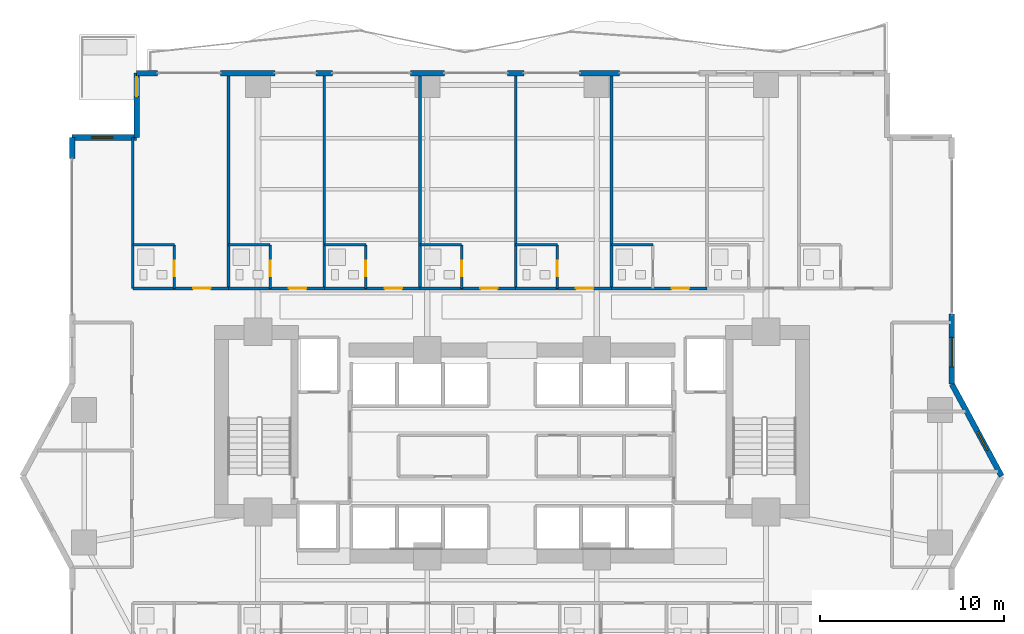
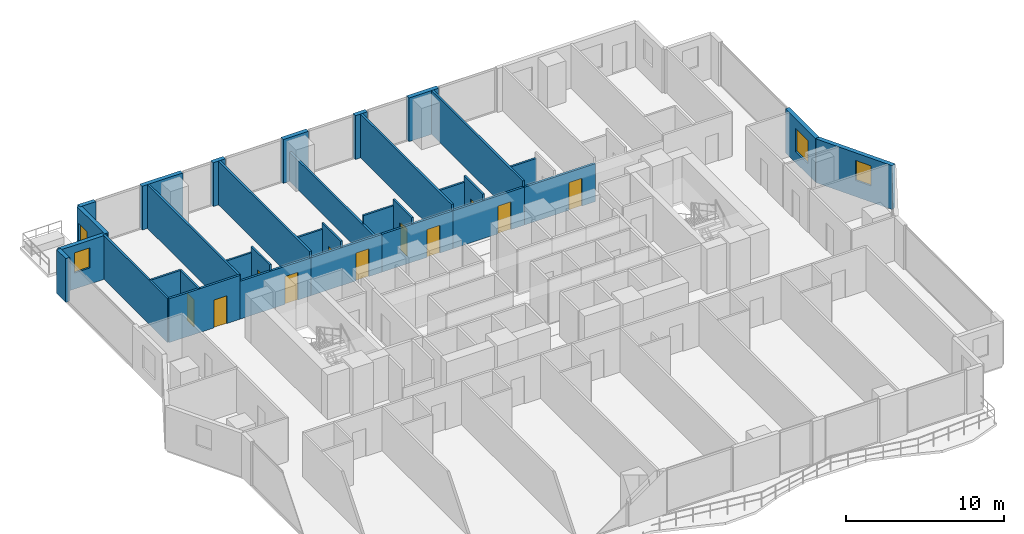
# One storey, part 24 of 29: 34 walls, 12 doors, 3 windows, 15 openings.
"""IFC4 building model written with IfcOpenShell, lengths in metres."""

from ifc_helpers import new_model, si_unit, direction, frame, frame_2d, origin, place, context, subcontext, project, spatial, rectangle, extrude, material, layer, layer_set, type_object, element, fill, save


model = new_model("IFC4")

# Units and contexts
model_context = context("Model", 3, precision=1e-05, world=origin(), true_north=direction((0.0, 1.0)))
body_context = subcontext(model_context, "Body", "Model", "MODEL_VIEW")
ifc_project = project(units=[si_unit("LENGTHUNIT", "METRE"), si_unit("AREAUNIT", "SQUARE_METRE"), si_unit("VOLUMEUNIT", "CUBIC_METRE"), si_unit("PLANEANGLEUNIT", "RADIAN"), si_unit("MASSUNIT", "GRAM", prefix="KILO")], contexts=[model_context])

# Site, building, storey
site_placement = place(None, origin())
site = spatial("IfcSite", under=ifc_project, at=site_placement, CompositionType="ELEMENT")
building_placement = place(site_placement, origin())
building = spatial("IfcBuilding", under=site, at=building_placement, Name="Zuhayl Quay Hotel", CompositionType="ELEMENT")
storey_placement = place(building_placement, frame((0.0, 0.0, 158.550048828125)))
storey = spatial("IfcBuildingStorey", under=building, at=storey_placement, Name="L40", CompositionType="ELEMENT", Elevation=158.550048828125)

# Wall
ifc_material_1 = material(Name="Precast concrete C45/55", Category="concrete")
ifc_layer_1 = layer(ifc_material_1, 0.300048828125, Name="Precast concrete C45/55", Category="concrete")
ifc_layer_set_1 = layer_set([ifc_layer_1], Name="Precast concrete C45/55")
wall_type_1 = type_object("IfcWallType", Name="WL_EXT_300", PredefinedType="STANDARD", material=ifc_layer_set_1)
wall_1_placement = place(storey_placement, frame((-23.89990234375, 23.75, 0.0), z_axis=(0.0, 0.0, 1.0), x_axis=(0.0, 1.0, 0.0)))
element("IfcWall", 1, at=wall_1_placement, inside=storey, type_object=wall_type_1, Name="L40 Exterior Precast Wall ENV_L40_E05_EW2", PredefinedType="STANDARD", context=body_context, shape_type="SweptSolid", body=[
    extrude(rectangle(XDim=1.14990234375, YDim=0.300048828125, at=frame_2d((0.574951171875, 0.0))), origin(), (0.0, 0.0, 1.0), 3.389892578125),
])

# Wall, opening, window
wall_2_placement = place(storey_placement, frame((-23.89990234375, 24.89990234375, 0.0), z_axis=(0.0, 0.0, 1.0), x_axis=(1.0, 0.0, 0.0)))
wall_2 = element("IfcWall", 2, at=wall_2_placement, inside=storey, type_object=wall_type_1, Name="L40 Exterior Precast Wall ENV_L40_EW06", PredefinedType="STANDARD", context=body_context, shape_type="SweptSolid", body=[
    extrude(rectangle(XDim=3.5, YDim=0.300048828125, at=frame_2d((1.75, 0.0))), origin(), (0.0, 0.0, 1.0), 3.389892578125),
])
opening_1_placement = place(wall_2_placement, frame((1.06494140625, 0.0, 1.25)))
opening_1 = element("IfcOpeningElement", 3, at=opening_1_placement, cuts=wall_2, Name="Opening W01N", PredefinedType="OPENING", context=body_context, shape_type="SweptSolid", body=[
    extrude(rectangle(XDim=1.14990234375, YDim=1.550048828125, at=frame_2d((0.574951171875, 0.77490234375))), frame((0.0, 0.159912109375, 0.0), z_axis=(0.0, -1.0, 0.0), x_axis=(1.0, 0.0, 0.0)), (0.0, 0.0, 1.0), 0.320068359375),
])
ifc_material_2 = material(Name="Dark Ceramic-Fritted Solar Glass", Category="glass")
window_type_1 = type_object("IfcWindowType", Name="WN_NOTCH_1350", PartitioningType="SINGLE_PANEL", PredefinedType="WINDOW", material=ifc_material_2)
window_1_placement = place(opening_1_placement, origin())
window_1 = element("IfcWindow", 4, at=window_1_placement, inside=storey, type_object=window_type_1, Name="L40 Corner Notch Window 6", OverallHeight=1.550048828125, OverallWidth=1.14990234375, PartitioningType="SINGLE_PANEL", PredefinedType="WINDOW", context=body_context, shape_type="SweptSolid", body=[
    extrude(rectangle(XDim=1.14990234375, YDim=1.550048828125, at=frame_2d((0.574951171875, 0.77490234375))), frame((0.0, 0.030029296875, 0.0), z_axis=(0.0, -1.0, 0.0), x_axis=(1.0, 0.0, 0.0)), (0.0, 0.0, 1.0), 0.06005859375),
])
fill(opening_1, window_1)

# Wall, opening, door
wall_3_placement = place(storey_placement, frame((-20.39990234375, 24.89990234375, 0.0), z_axis=(0.0, 0.0, 1.0), x_axis=(0.0, 1.0, 0.0)))
wall_3 = element("IfcWall", 5, at=wall_3_placement, inside=storey, type_object=wall_type_1, Name="L40 Exterior Precast Wall ENV_L40_SP_NW", PredefinedType="STANDARD", context=body_context, shape_type="SweptSolid", body=[
    extrude(rectangle(XDim=3.5, YDim=0.300048828125, at=frame_2d((1.75, 0.0))), origin(), (0.0, 0.0, 1.0), 3.389892578125),
])
opening_2_placement = place(wall_3_placement, frame((2.22998046875, 0.0, 0.0)))
opening_2 = element("IfcOpeningElement", 6, at=opening_2_placement, cuts=wall_3, Name="Opening DG1", PredefinedType="OPENING", context=body_context, shape_type="SweptSolid", body=[
    extrude(rectangle(XDim=1.050048828125, YDim=2.199951171875, at=frame_2d((0.52490234375, 1.10009765625))), frame((0.0, 0.159912109375, 0.0), z_axis=(0.0, -1.0, 0.0), x_axis=(1.0, 0.0, 0.0)), (0.0, 0.0, 1.0), 0.320068359375),
])
ifc_material_3 = material(Name="Anodised Aluminium and Dark Solar Glass", Category="aluminium")
door_type_1 = type_object("IfcDoorType", Name="DR_EXT_TERR_1050", OperationType="NOTDEFINED", PredefinedType="DOOR", material=ifc_material_3)
door_1_placement = place(opening_2_placement, origin())
door_1 = element("IfcDoor", 7, at=door_1_placement, inside=storey, type_object=door_type_1, Name="L40 Spiral Sky-Terrace NW Access Door", OperationType="SINGLE_SWING_LEFT", OverallHeight=2.199951171875, OverallWidth=1.050048828125, PredefinedType="DOOR", context=body_context, shape_type="SweptSolid", body=[
    extrude(rectangle(XDim=1.050048828125, YDim=2.199951171875, at=frame_2d((0.52490234375, 1.10009765625))), frame((0.0, 0.02490234375, 0.0), z_axis=(0.0, -1.0, 0.0), x_axis=(1.0, 0.0, 0.0)), (0.0, 0.0, 1.0), 0.050048828125),
])
fill(opening_2, door_1)

# Walls
wall_4_placement = place(storey_placement, frame((-20.39990234375, 28.39990234375, 0.0), z_axis=(0.0, 0.0, 1.0), x_axis=(1.0, 0.0, 0.0)))
element("IfcWall", 8, at=wall_4_placement, inside=storey, type_object=wall_type_1, Name="L40 Exterior Precast Wall ENV_L40_N_EW1", PredefinedType="STANDARD", context=body_context, shape_type="SweptSolid", body=[
    extrude(rectangle(XDim=1.14990234375, YDim=0.300048828125, at=frame_2d((0.574951171875, 0.0))), origin(), (0.0, 0.0, 1.0), 3.389892578125),
])
wall_5_placement = place(storey_placement, frame((-15.85009765625, 28.39990234375, 0.0), z_axis=(0.0, 0.0, 1.0), x_axis=(1.0, 0.0, 0.0)))
element("IfcWall", 9, at=wall_5_placement, inside=storey, type_object=wall_type_1, Name="L40 Exterior Precast Wall ENV_L40_N_EW2", PredefinedType="STANDARD", context=body_context, shape_type="SweptSolid", body=[
    extrude(rectangle(XDim=2.97021484375, YDim=0.300048828125, at=frame_2d((1.485107421875, 0.0))), origin(), (0.0, 0.0, 1.0), 3.389892578125),
])
wall_6_placement = place(storey_placement, frame((-10.64990234375, 28.39990234375, 0.0), z_axis=(0.0, 0.0, 1.0), x_axis=(1.0, 0.0, 0.0)))
element("IfcWall", 10, at=wall_6_placement, inside=storey, type_object=wall_type_1, Name="L40 Exterior Precast Wall ENV_L40_N_EW3", PredefinedType="STANDARD", context=body_context, shape_type="SweptSolid", body=[
    extrude(rectangle(XDim=0.89990234375, YDim=0.300048828125, at=frame_2d((0.449951171875, 0.0))), origin(), (0.0, 0.0, 1.0), 3.389892578125),
])
wall_7_placement = place(storey_placement, frame((-5.52001953125, 28.39990234375, 0.0), z_axis=(0.0, 0.0, 1.0), x_axis=(1.0, 0.0, 0.0)))
element("IfcWall", 11, at=wall_7_placement, inside=storey, type_object=wall_type_1, Name="L40 Exterior Precast Wall ENV_L40_N_EW4", PredefinedType="STANDARD", context=body_context, shape_type="SweptSolid", body=[
    extrude(rectangle(XDim=1.840087890625, YDim=0.300048828125, at=frame_2d((0.919921875, 0.0))), origin(), (0.0, 0.0, 1.0), 3.389892578125),
])
wall_8_placement = place(storey_placement, frame((-0.25, 28.39990234375, 0.0), z_axis=(0.0, 0.0, 1.0), x_axis=(1.0, 0.0, 0.0)))
element("IfcWall", 12, at=wall_8_placement, inside=storey, type_object=wall_type_1, Name="L40 Exterior Precast Wall ENV_L40_N_EW5", PredefinedType="STANDARD", context=body_context, shape_type="SweptSolid", body=[
    extrude(rectangle(XDim=0.89990234375, YDim=0.300048828125, at=frame_2d((0.449951171875, 0.0))), origin(), (0.0, 0.0, 1.0), 3.389892578125),
])
wall_9_placement = place(storey_placement, frame((3.679931640625, 28.39990234375, 0.0), z_axis=(0.0, 0.0, 1.0), x_axis=(1.0, 0.0, 0.0)))
element("IfcWall", 13, at=wall_9_placement, inside=storey, type_object=wall_type_1, Name="L40 Exterior Precast Wall ENV_L40_N_EW6", PredefinedType="STANDARD", context=body_context, shape_type="SweptSolid", body=[
    extrude(rectangle(XDim=2.170166015625, YDim=0.300048828125, at=frame_2d((1.0849609375, 0.0))), origin(), (0.0, 0.0, 1.0), 3.389892578125),
])

# Wall, opening, window
wall_10_placement = place(storey_placement, frame((23.89990234375, 15.300048828125, 0.0), z_axis=(0.0, 0.0, 1.0), x_axis=(0.0, -1.0, 0.0)))
wall_10 = element("IfcWall", 14, at=wall_10_placement, inside=storey, type_object=wall_type_1, Name="L40 Exterior Precast Wall ENV_L40_E11_EW2", PredefinedType="STANDARD", context=body_context, shape_type="SweptSolid", body=[
    extrude(rectangle(XDim=3.800048828125, YDim=0.300048828125, at=frame_2d((1.89990234375, 0.0))), origin(), (0.0, 0.0, 1.0), 3.389892578125),
])
opening_3_placement = place(wall_10_placement, frame((1.264892578125, 0.0, 0.85009765625)))
opening_3 = element("IfcOpeningElement", 15, at=opening_3_placement, cuts=wall_10, Name="Opening W01", PredefinedType="OPENING", context=body_context, shape_type="SweptSolid", body=[
    extrude(rectangle(XDim=1.60009765625, YDim=1.800048828125, at=frame_2d((0.800048828125, 0.89990234375))), frame((0.0, 0.159912109375, 0.0), z_axis=(0.0, -1.0, 0.0), x_axis=(1.0, 0.0, 0.0)), (0.0, 0.0, 1.0), 0.320068359375),
])
window_type_2 = type_object("IfcWindowType", Name="WN_OPERABLE_1600", PartitioningType="DOUBLE_PANEL_VERTICAL", PredefinedType="WINDOW", material=ifc_material_2)
window_2_placement = place(opening_3_placement, origin())
window_2 = element("IfcWindow", 16, at=window_2_placement, inside=storey, type_object=window_type_2, Name="L40 Operable Facade Window 2-1", OverallHeight=1.800048828125, OverallWidth=1.60009765625, PartitioningType="SINGLE_PANEL", PredefinedType="WINDOW", context=body_context, shape_type="SweptSolid", body=[
    extrude(rectangle(XDim=1.60009765625, YDim=1.800048828125, at=frame_2d((0.800048828125, 0.89990234375))), frame((0.0, 0.030029296875, 0.0), z_axis=(0.0, -1.0, 0.0), x_axis=(1.0, 0.0, 0.0)), (0.0, 0.0, 1.0), 0.06005859375),
])
fill(opening_3, window_2)

wall_11_placement = place(storey_placement, frame((23.89990234375, 11.5, 0.0), z_axis=(0.0, 0.0, 1.0), x_axis=(0.475175525499, -0.879891027325, 0.0)))
wall_11 = element("IfcWall", 17, at=wall_11_placement, inside=storey, type_object=wall_type_1, Name="L40 Exterior Precast Wall ENV_L40_EW12", PredefinedType="STANDARD", context=body_context, shape_type="SweptSolid", body=[
    extrude(rectangle(XDim=5.6826171875, YDim=0.300048828125, at=frame_2d((2.84130859375, 0.0))), origin(), (0.0, 0.0, 1.0), 3.389892578125),
])
opening_4_placement = place(wall_11_placement, frame((2.9365234375, 0.0, 1.25)))
opening_4 = element("IfcOpeningElement", 18, at=opening_4_placement, cuts=wall_11, Name="Opening W01N", PredefinedType="OPENING", context=body_context, shape_type="SweptSolid", body=[
    extrude(rectangle(XDim=1.14990234375, YDim=1.550048828125, at=frame_2d((0.574951171875, 0.77490234375))), frame((0.0, 0.159912109375, 0.0), z_axis=(0.0, -1.0, 0.0), x_axis=(1.0, 0.0, 0.0)), (0.0, 0.0, 1.0), 0.320068359375),
])
window_3_placement = place(opening_4_placement, origin())
window_3 = element("IfcWindow", 19, at=window_3_placement, inside=storey, type_object=window_type_1, Name="L40 Corner Notch Window 12", OverallHeight=1.550048828125, OverallWidth=1.14990234375, PartitioningType="SINGLE_PANEL", PredefinedType="WINDOW", context=body_context, shape_type="SweptSolid", body=[
    extrude(rectangle(XDim=1.14990234375, YDim=1.550048828125, at=frame_2d((0.574951171875, 0.77490234375))), frame((0.0, 0.030029296875, 0.0), z_axis=(0.0, -1.0, 0.0), x_axis=(1.0, 0.0, 0.0)), (0.0, 0.0, 1.0), 0.06005859375),
])
fill(opening_4, window_3)

# Walls
ifc_material_4 = material(Name="Acoustic Gypsum Partition STC-58")
ifc_layer_2 = layer(ifc_material_4, 0.14990234375, Name="Acoustic Gypsum Partition STC-58")
ifc_layer_set_2 = layer_set([ifc_layer_2], Name="Acoustic Gypsum Partition STC-58")
wall_type_2 = type_object("IfcWallType", Name="WL_PART_150", PredefinedType="PARTITIONING", material=ifc_layer_set_2)
wall_12_placement = place(storey_placement, frame((-20.60009765625, 16.699951171875, 0.0), z_axis=(0.0, 0.0, 1.0), x_axis=(0.0, 1.0, 0.0)))
element("IfcWall", 20, at=wall_12_placement, inside=storey, type_object=wall_type_2, Name="L40 Partition IW_L40_NU01_W", PredefinedType="PARTITIONING", context=body_context, shape_type="SweptSolid", body=[
    extrude(rectangle(XDim=8.199951171875, YDim=0.14990234375, at=frame_2d((4.10009765625, 0.0))), origin(), (0.0, 0.0, 1.0), 3.389892578125),
])
for number, where, z_axis, x_axis, name in (
    (21, (-15.39990234375, 16.699951171875, 0.0), (0.0, 0.0, 1.0), (0.0, 1.0, 0.0), "L40 Partition IW_L40_NU01_E"),
    (22, (-10.199951171875, 16.699951171875, 0.0), (0.0, 0.0, 1.0), (0.0, 1.0, 0.0), "L40 Partition IW_L40_NU02_E"),
):
    element("IfcWall", number, at=place(storey_placement, frame(where, z_axis=z_axis, x_axis=x_axis)), inside=storey, type_object=wall_type_2, Name=name, PredefinedType="PARTITIONING", context=body_context, shape_type="SweptSolid", body=[
        extrude(rectangle(XDim=11.6201171875, YDim=0.14990234375, at=frame_2d((5.81005859375, 0.0))), origin(), (0.0, 0.0, 1.0), 3.389892578125),
    ])
wall_13_placement = place(storey_placement, frame((-5.0, 16.699951171875, 0.0), z_axis=(0.0, 0.0, 1.0), x_axis=(0.0, 1.0, 0.0)))
element("IfcWall", 23, at=wall_13_placement, inside=storey, type_object=wall_type_2, Name="L40 Partition IW_L40_NU03_E", PredefinedType="PARTITIONING", context=body_context, shape_type="SweptSolid", body=[
    extrude(rectangle(XDim=11.6201171875, YDim=0.14990234375, at=frame_2d((5.81005859375, 0.0))), origin(), (0.0, 0.0, 1.0), 2.27197265625),
])
for number, where, z_axis, x_axis, name in (
    (24, (0.199951171875, 16.699951171875, 0.0), (0.0, 0.0, 1.0), (0.0, 1.0, 0.0), "L40 Partition IW_L40_NU04_E"),
    (25, (5.39990234375, 16.699951171875, 0.0), (0.0, 0.0, 1.0), (0.0, 1.0, 0.0), "L40 Partition IW_L40_NU05_E"),
):
    element("IfcWall", number, at=place(storey_placement, frame(where, z_axis=z_axis, x_axis=x_axis)), inside=storey, type_object=wall_type_2, Name=name, PredefinedType="PARTITIONING", context=body_context, shape_type="SweptSolid", body=[
        extrude(rectangle(XDim=11.6201171875, YDim=0.14990234375, at=frame_2d((5.81005859375, 0.0))), origin(), (0.0, 0.0, 1.0), 3.389892578125),
    ])

# Wall, opening, door
ifc_layer_3 = layer(ifc_material_4, 0.159912109375, Name="Acoustic Gypsum Partition STC-58")
ifc_layer_set_3 = layer_set([ifc_layer_3], Name="Acoustic Gypsum Partition STC-58")
wall_type_3 = type_object("IfcWallType", Name="WL_PART_CORR_160", PredefinedType="PARTITIONING", material=ifc_layer_set_3)
wall_14_placement = place(storey_placement, frame((-20.60009765625, 16.699951171875, 0.0), z_axis=(0.0, 0.0, 1.0), x_axis=(1.0, 0.0, 0.0)))
wall_14 = element("IfcWall", 26, at=wall_14_placement, inside=storey, type_object=wall_type_3, Name="L40 Partition IW_L40_NU01_COR", PredefinedType="PARTITIONING", context=body_context, shape_type="SweptSolid", body=[
    extrude(rectangle(XDim=5.2001953125, YDim=0.159912109375, at=frame_2d((2.60009765625, 0.0))), origin(), (0.0, 0.0, 1.0), 3.389892578125),
])
opening_5_placement = place(wall_14_placement, frame((3.27490234375, 0.0, 0.0)))
opening_5 = element("IfcOpeningElement", 27, at=opening_5_placement, cuts=wall_14, Name="Opening D03", PredefinedType="OPENING", context=body_context, shape_type="SweptSolid", body=[
    extrude(rectangle(XDim=0.949951171875, YDim=2.14990234375, at=frame_2d((0.47509765625, 1.074951171875))), frame((0.0, 0.08984375, 0.0), z_axis=(0.0, -1.0, 0.0), x_axis=(1.0, 0.0, 0.0)), (0.0, 0.0, 1.0), 0.179931640625),
])
ifc_material_5 = material(Name="Solid Walnut Acoustic Fire Door")
door_type_2 = type_object("IfcDoorType", Name="DR_SUITE_950", OperationType="NOTDEFINED", PredefinedType="DOOR", material=ifc_material_5)
door_2_placement = place(opening_5_placement, origin())
door_2 = element("IfcDoor", 28, at=door_2_placement, inside=storey, type_object=door_type_2, Name="L40 Deluxe Gulf Guest Room L40-01 Entrance Door", OperationType="SINGLE_SWING_RIGHT", OverallHeight=2.14990234375, OverallWidth=0.949951171875, PredefinedType="DOOR", context=body_context, shape_type="SweptSolid", body=[
    extrude(rectangle(XDim=0.949951171875, YDim=2.14990234375, at=frame_2d((0.47509765625, 1.074951171875))), frame((0.0, 0.02490234375, 0.0), z_axis=(0.0, -1.0, 0.0), x_axis=(1.0, 0.0, 0.0)), (0.0, 0.0, 1.0), 0.050048828125),
])
fill(opening_5, door_2)

wall_15_placement = place(storey_placement, frame((-15.39990234375, 16.699951171875, 0.0), z_axis=(0.0, 0.0, 1.0), x_axis=(1.0, 0.0, 0.0)))
wall_15 = element("IfcWall", 29, at=wall_15_placement, inside=storey, type_object=wall_type_3, Name="L40 Partition IW_L40_NU02_COR", PredefinedType="PARTITIONING", context=body_context, shape_type="SweptSolid", body=[
    extrude(rectangle(XDim=5.199951171875, YDim=0.159912109375, at=frame_2d((2.60009765625, 0.0))), origin(), (0.0, 0.0, 1.0), 2.932861328125),
])
opening_6_placement = place(wall_15_placement, frame((3.27490234375, 0.0, 0.0)))
opening_6 = element("IfcOpeningElement", 30, at=opening_6_placement, cuts=wall_15, Name="Opening D03", PredefinedType="OPENING", context=body_context, shape_type="SweptSolid", body=[
    extrude(rectangle(XDim=0.949951171875, YDim=2.14990234375, at=frame_2d((0.47509765625, 1.074951171875))), frame((0.0, 0.08984375, 0.0), z_axis=(0.0, -1.0, 0.0), x_axis=(1.0, 0.0, 0.0)), (0.0, 0.0, 1.0), 0.179931640625),
])
door_3_placement = place(opening_6_placement, origin())
door_3 = element("IfcDoor", 31, at=door_3_placement, inside=storey, type_object=door_type_2, Name="L40 Deluxe Gulf Guest Room L40-02 Entrance Door", OperationType="SINGLE_SWING_RIGHT", OverallHeight=2.14990234375, OverallWidth=0.949951171875, PredefinedType="DOOR", context=body_context, shape_type="SweptSolid", body=[
    extrude(rectangle(XDim=0.949951171875, YDim=2.14990234375, at=frame_2d((0.47509765625, 1.074951171875))), frame((0.0, 0.02490234375, 0.0), z_axis=(0.0, -1.0, 0.0), x_axis=(1.0, 0.0, 0.0)), (0.0, 0.0, 1.0), 0.050048828125),
])
fill(opening_6, door_3)

wall_16_placement = place(storey_placement, frame((-10.199951171875, 16.699951171875, 0.0), z_axis=(0.0, 0.0, 1.0), x_axis=(1.0, 0.0, 0.0)))
wall_16 = element("IfcWall", 32, at=wall_16_placement, inside=storey, type_object=wall_type_3, Name="L40 Partition IW_L40_NU03_COR", PredefinedType="PARTITIONING", context=body_context, shape_type="SweptSolid", body=[
    extrude(rectangle(XDim=5.199951171875, YDim=0.159912109375, at=frame_2d((2.60009765625, 0.0))), origin(), (0.0, 0.0, 1.0), 2.932861328125),
])
opening_7_placement = place(wall_16_placement, frame((3.27490234375, 0.0, 0.0)))
opening_7 = element("IfcOpeningElement", 33, at=opening_7_placement, cuts=wall_16, Name="Opening D03", PredefinedType="OPENING", context=body_context, shape_type="SweptSolid", body=[
    extrude(rectangle(XDim=0.949951171875, YDim=2.14990234375, at=frame_2d((0.47509765625, 1.074951171875))), frame((0.0, 0.08984375, 0.0), z_axis=(0.0, -1.0, 0.0), x_axis=(1.0, 0.0, 0.0)), (0.0, 0.0, 1.0), 0.179931640625),
])
door_4_placement = place(opening_7_placement, origin())
door_4 = element("IfcDoor", 34, at=door_4_placement, inside=storey, type_object=door_type_2, Name="L40 Deluxe Gulf Guest Room L40-03 Entrance Door", OperationType="SINGLE_SWING_RIGHT", OverallHeight=2.14990234375, OverallWidth=0.949951171875, PredefinedType="DOOR", context=body_context, shape_type="SweptSolid", body=[
    extrude(rectangle(XDim=0.949951171875, YDim=2.14990234375, at=frame_2d((0.47509765625, 1.074951171875))), frame((0.0, 0.02490234375, 0.0), z_axis=(0.0, -1.0, 0.0), x_axis=(1.0, 0.0, 0.0)), (0.0, 0.0, 1.0), 0.050048828125),
])
fill(opening_7, door_4)

wall_17_placement = place(storey_placement, frame((-5.0, 16.699951171875, 0.0), z_axis=(0.0, 0.0, 1.0), x_axis=(1.0, 0.0, 0.0)))
wall_17 = element("IfcWall", 35, at=wall_17_placement, inside=storey, type_object=wall_type_3, Name="L40 Partition IW_L40_NU04_COR", PredefinedType="PARTITIONING", context=body_context, shape_type="SweptSolid", body=[
    extrude(rectangle(XDim=5.199951171875, YDim=0.159912109375, at=frame_2d((2.60009765625, 0.0))), origin(), (0.0, 0.0, 1.0), 2.932861328125),
])
opening_8_placement = place(wall_17_placement, frame((3.27490234375, 0.0, 0.0)))
opening_8 = element("IfcOpeningElement", 36, at=opening_8_placement, cuts=wall_17, Name="Opening D03", PredefinedType="OPENING", context=body_context, shape_type="SweptSolid", body=[
    extrude(rectangle(XDim=0.949951171875, YDim=2.14990234375, at=frame_2d((0.47509765625, 1.074951171875))), frame((0.0, 0.08984375, 0.0), z_axis=(0.0, -1.0, 0.0), x_axis=(1.0, 0.0, 0.0)), (0.0, 0.0, 1.0), 0.179931640625),
])
door_5_placement = place(opening_8_placement, origin())
door_5 = element("IfcDoor", 37, at=door_5_placement, inside=storey, type_object=door_type_2, Name="L40 Deluxe Gulf Guest Room L40-04 Entrance Door", OperationType="SINGLE_SWING_RIGHT", OverallHeight=2.14990234375, OverallWidth=0.949951171875, PredefinedType="DOOR", context=body_context, shape_type="SweptSolid", body=[
    extrude(rectangle(XDim=0.949951171875, YDim=2.14990234375, at=frame_2d((0.47509765625, 1.074951171875))), frame((0.0, 0.02490234375, 0.0), z_axis=(0.0, -1.0, 0.0), x_axis=(1.0, 0.0, 0.0)), (0.0, 0.0, 1.0), 0.050048828125),
])
fill(opening_8, door_5)

wall_18_placement = place(storey_placement, frame((0.199951171875, 16.699951171875, 0.0), z_axis=(0.0, 0.0, 1.0), x_axis=(1.0, 0.0, 0.0)))
wall_18 = element("IfcWall", 38, at=wall_18_placement, inside=storey, type_object=wall_type_3, Name="L40 Partition IW_L40_NU05_COR", PredefinedType="PARTITIONING", context=body_context, shape_type="SweptSolid", body=[
    extrude(rectangle(XDim=5.199951171875, YDim=0.159912109375, at=frame_2d((2.60009765625, 0.0))), origin(), (0.0, 0.0, 1.0), 2.932861328125),
])
opening_9_placement = place(wall_18_placement, frame((3.27490234375, 0.0, 0.0)))
opening_9 = element("IfcOpeningElement", 39, at=opening_9_placement, cuts=wall_18, Name="Opening D03", PredefinedType="OPENING", context=body_context, shape_type="SweptSolid", body=[
    extrude(rectangle(XDim=0.949951171875, YDim=2.14990234375, at=frame_2d((0.47509765625, 1.074951171875))), frame((0.0, 0.08984375, 0.0), z_axis=(0.0, -1.0, 0.0), x_axis=(1.0, 0.0, 0.0)), (0.0, 0.0, 1.0), 0.179931640625),
])
door_6_placement = place(opening_9_placement, origin())
door_6 = element("IfcDoor", 40, at=door_6_placement, inside=storey, type_object=door_type_2, Name="L40 Deluxe Gulf Guest Room L40-05 Entrance Door", OperationType="SINGLE_SWING_RIGHT", OverallHeight=2.14990234375, OverallWidth=0.949951171875, PredefinedType="DOOR", context=body_context, shape_type="SweptSolid", body=[
    extrude(rectangle(XDim=0.949951171875, YDim=2.14990234375, at=frame_2d((0.47509765625, 1.074951171875))), frame((0.0, 0.02490234375, 0.0), z_axis=(0.0, -1.0, 0.0), x_axis=(1.0, 0.0, 0.0)), (0.0, 0.0, 1.0), 0.050048828125),
])
fill(opening_9, door_6)

wall_19_placement = place(storey_placement, frame((5.39990234375, 16.699951171875, 0.0), z_axis=(0.0, 0.0, 1.0), x_axis=(1.0, 0.0, 0.0)))
wall_19 = element("IfcWall", 41, at=wall_19_placement, inside=storey, type_object=wall_type_3, Name="L40 Partition IW_L40_NU06_COR", PredefinedType="PARTITIONING", context=body_context, shape_type="SweptSolid", body=[
    extrude(rectangle(XDim=5.2001953125, YDim=0.159912109375, at=frame_2d((2.60009765625, 0.0))), origin(), (0.0, 0.0, 1.0), 2.932861328125),
])
opening_10_placement = place(wall_19_placement, frame((3.27490234375, 0.0, 0.0)))
opening_10 = element("IfcOpeningElement", 42, at=opening_10_placement, cuts=wall_19, Name="Opening D03", PredefinedType="OPENING", context=body_context, shape_type="SweptSolid", body=[
    extrude(rectangle(XDim=0.949951171875, YDim=2.14990234375, at=frame_2d((0.47509765625, 1.074951171875))), frame((0.0, 0.08984375, 0.0), z_axis=(0.0, -1.0, 0.0), x_axis=(1.0, 0.0, 0.0)), (0.0, 0.0, 1.0), 0.179931640625),
])
door_7_placement = place(opening_10_placement, origin())
door_7 = element("IfcDoor", 43, at=door_7_placement, inside=storey, type_object=door_type_2, Name="L40 Deluxe Gulf Guest Room L40-06 Entrance Door", OperationType="SINGLE_SWING_RIGHT", OverallHeight=2.14990234375, OverallWidth=0.949951171875, PredefinedType="DOOR", context=body_context, shape_type="SweptSolid", body=[
    extrude(rectangle(XDim=0.949951171875, YDim=2.14990234375, at=frame_2d((0.47509765625, 1.074951171875))), frame((0.0, 0.02490234375, 0.0), z_axis=(0.0, -1.0, 0.0), x_axis=(1.0, 0.0, 0.0)), (0.0, 0.0, 1.0), 0.050048828125),
])
fill(opening_10, door_7)

ifc_material_6 = material(Name="Moisture-Resistant Sanitarychase Gypsum")
ifc_layer_4 = layer(ifc_material_6, 0.135009765625, Name="Moisture-Resistant Sanitarychase Gypsum")
ifc_layer_set_4 = layer_set([ifc_layer_4], Name="Moisture-Resistant Sanitarychase Gypsum")
wall_type_4 = type_object("IfcWallType", Name="WL_PART_PLUMB_150", PredefinedType="PLUMBINGWALL", material=ifc_layer_set_4)
wall_20_placement = place(storey_placement, frame((-18.340087890625, 16.699951171875, 0.0), z_axis=(0.0, 0.0, 1.0), x_axis=(0.0, 1.0, 0.0)))
wall_20 = element("IfcWall", 44, at=wall_20_placement, inside=storey, type_object=wall_type_4, Name="L40 Partition IW_L40_NU01_BE", PredefinedType="PLUMBINGWALL", context=body_context, shape_type="SweptSolid", body=[
    extrude(rectangle(XDim=2.360107421875, YDim=0.135009765625, at=frame_2d((1.18017578125, 0.0))), origin(), (0.0, 0.0, 1.0), 3.389892578125),
])
opening_11_placement = place(wall_20_placement, frame((0.64990234375, 0.0, 0.0)))
opening_11 = element("IfcOpeningElement", 45, at=opening_11_placement, cuts=wall_20, Name="Opening D04", PredefinedType="OPENING", context=body_context, shape_type="SweptSolid", body=[
    extrude(rectangle(XDim=0.85009765625, YDim=2.10009765625, at=frame_2d((0.425048828125, 1.050048828125))), frame((0.0, 0.077392578125, 0.0), z_axis=(0.0, -1.0, 0.0), x_axis=(1.0, 0.0, 0.0)), (0.0, 0.0, 1.0), 0.155029296875),
])
ifc_material_7 = material(Name="Moisture-Resistant Walnut Veneer")
door_type_3 = type_object("IfcDoorType", Name="DR_BATH_850", OperationType="NOTDEFINED", PredefinedType="DOOR", material=ifc_material_7)
door_8_placement = place(opening_11_placement, origin())
door_8 = element("IfcDoor", 46, at=door_8_placement, inside=storey, type_object=door_type_3, Name="L40 Deluxe Gulf Guest Room L40-01 En-Suite Door", OperationType="SINGLE_SWING_LEFT", OverallHeight=2.10009765625, OverallWidth=0.85009765625, PredefinedType="DOOR", context=body_context, shape_type="SweptSolid", body=[
    extrude(rectangle(XDim=0.85009765625, YDim=2.10009765625, at=frame_2d((0.425048828125, 1.050048828125))), frame((0.0, 0.02490234375, 0.0), z_axis=(0.0, -1.0, 0.0), x_axis=(1.0, 0.0, 0.0)), (0.0, 0.0, 1.0), 0.050048828125),
])
fill(opening_11, door_8)

wall_21_placement = place(storey_placement, frame((-13.139892578125, 16.699951171875, 0.0), z_axis=(0.0, 0.0, 1.0), x_axis=(0.0, 1.0, 0.0)))
wall_21 = element("IfcWall", 47, at=wall_21_placement, inside=storey, type_object=wall_type_4, Name="L40 Partition IW_L40_NU02_BE", PredefinedType="PLUMBINGWALL", context=body_context, shape_type="SweptSolid", body=[
    extrude(rectangle(XDim=2.360107421875, YDim=0.135009765625, at=frame_2d((1.18017578125, 0.0))), origin(), (0.0, 0.0, 1.0), 3.389892578125),
])
opening_12_placement = place(wall_21_placement, frame((0.64990234375, 0.0, 0.0)))
opening_12 = element("IfcOpeningElement", 48, at=opening_12_placement, cuts=wall_21, Name="Opening D04", PredefinedType="OPENING", context=body_context, shape_type="SweptSolid", body=[
    extrude(rectangle(XDim=0.85009765625, YDim=2.10009765625, at=frame_2d((0.425048828125, 1.050048828125))), frame((0.0, 0.077392578125, 0.0), z_axis=(0.0, -1.0, 0.0), x_axis=(1.0, 0.0, 0.0)), (0.0, 0.0, 1.0), 0.155029296875),
])
door_9_placement = place(opening_12_placement, origin())
door_9 = element("IfcDoor", 49, at=door_9_placement, inside=storey, type_object=door_type_3, Name="L40 Deluxe Gulf Guest Room L40-02 En-Suite Door", OperationType="SINGLE_SWING_LEFT", OverallHeight=2.10009765625, OverallWidth=0.85009765625, PredefinedType="DOOR", context=body_context, shape_type="SweptSolid", body=[
    extrude(rectangle(XDim=0.85009765625, YDim=2.10009765625, at=frame_2d((0.425048828125, 1.050048828125))), frame((0.0, 0.02490234375, 0.0), z_axis=(0.0, -1.0, 0.0), x_axis=(1.0, 0.0, 0.0)), (0.0, 0.0, 1.0), 0.050048828125),
])
fill(opening_12, door_9)

wall_22_placement = place(storey_placement, frame((-7.93994140625, 16.699951171875, 0.0), z_axis=(0.0, 0.0, 1.0), x_axis=(0.0, 1.0, 0.0)))
wall_22 = element("IfcWall", 50, at=wall_22_placement, inside=storey, type_object=wall_type_4, Name="L40 Partition IW_L40_NU03_BE", PredefinedType="PLUMBINGWALL", context=body_context, shape_type="SweptSolid", body=[
    extrude(rectangle(XDim=2.360107421875, YDim=0.135009765625, at=frame_2d((1.18017578125, 0.0))), origin(), (0.0, 0.0, 1.0), 3.389892578125),
])
opening_13_placement = place(wall_22_placement, frame((0.64990234375, 0.0, 0.0)))
opening_13 = element("IfcOpeningElement", 51, at=opening_13_placement, cuts=wall_22, Name="Opening D04", PredefinedType="OPENING", context=body_context, shape_type="SweptSolid", body=[
    extrude(rectangle(XDim=0.85009765625, YDim=2.10009765625, at=frame_2d((0.425048828125, 1.050048828125))), frame((0.0, 0.077392578125, 0.0), z_axis=(0.0, -1.0, 0.0), x_axis=(1.0, 0.0, 0.0)), (0.0, 0.0, 1.0), 0.155029296875),
])
door_10_placement = place(opening_13_placement, origin())
door_10 = element("IfcDoor", 52, at=door_10_placement, inside=storey, type_object=door_type_3, Name="L40 Deluxe Gulf Guest Room L40-03 En-Suite Door", OperationType="SINGLE_SWING_LEFT", OverallHeight=2.10009765625, OverallWidth=0.85009765625, PredefinedType="DOOR", context=body_context, shape_type="SweptSolid", body=[
    extrude(rectangle(XDim=0.85009765625, YDim=2.10009765625, at=frame_2d((0.425048828125, 1.050048828125))), frame((0.0, 0.02490234375, 0.0), z_axis=(0.0, -1.0, 0.0), x_axis=(1.0, 0.0, 0.0)), (0.0, 0.0, 1.0), 0.050048828125),
])
fill(opening_13, door_10)

wall_23_placement = place(storey_placement, frame((-2.739990234375, 16.699951171875, 0.0), z_axis=(0.0, 0.0, 1.0), x_axis=(0.0, 1.0, 0.0)))
wall_23 = element("IfcWall", 53, at=wall_23_placement, inside=storey, type_object=wall_type_4, Name="L40 Partition IW_L40_NU04_BE", PredefinedType="PLUMBINGWALL", context=body_context, shape_type="SweptSolid", body=[
    extrude(rectangle(XDim=2.360107421875, YDim=0.135009765625, at=frame_2d((1.18017578125, 0.0))), origin(), (0.0, 0.0, 1.0), 3.389892578125),
])
opening_14_placement = place(wall_23_placement, frame((0.64990234375, 0.0, 0.0)))
opening_14 = element("IfcOpeningElement", 54, at=opening_14_placement, cuts=wall_23, Name="Opening D04", PredefinedType="OPENING", context=body_context, shape_type="SweptSolid", body=[
    extrude(rectangle(XDim=0.85009765625, YDim=2.10009765625, at=frame_2d((0.425048828125, 1.050048828125))), frame((0.0, 0.077392578125, 0.0), z_axis=(0.0, -1.0, 0.0), x_axis=(1.0, 0.0, 0.0)), (0.0, 0.0, 1.0), 0.155029296875),
])
door_11_placement = place(opening_14_placement, origin())
door_11 = element("IfcDoor", 55, at=door_11_placement, inside=storey, type_object=door_type_3, Name="L40 Deluxe Gulf Guest Room L40-04 En-Suite Door", OperationType="SINGLE_SWING_LEFT", OverallHeight=2.10009765625, OverallWidth=0.85009765625, PredefinedType="DOOR", context=body_context, shape_type="SweptSolid", body=[
    extrude(rectangle(XDim=0.85009765625, YDim=2.10009765625, at=frame_2d((0.425048828125, 1.050048828125))), frame((0.0, 0.02490234375, 0.0), z_axis=(0.0, -1.0, 0.0), x_axis=(1.0, 0.0, 0.0)), (0.0, 0.0, 1.0), 0.050048828125),
])
fill(opening_14, door_11)

wall_24_placement = place(storey_placement, frame((2.4599609375, 16.699951171875, 0.0), z_axis=(0.0, 0.0, 1.0), x_axis=(0.0, 1.0, 0.0)))
wall_24 = element("IfcWall", 56, at=wall_24_placement, inside=storey, type_object=wall_type_4, Name="L40 Partition IW_L40_NU05_BE", PredefinedType="PLUMBINGWALL", context=body_context, shape_type="SweptSolid", body=[
    extrude(rectangle(XDim=2.360107421875, YDim=0.135009765625, at=frame_2d((1.18017578125, 0.0))), origin(), (0.0, 0.0, 1.0), 3.389892578125),
])
opening_15_placement = place(wall_24_placement, frame((0.64990234375, 0.0, 0.0)))
opening_15 = element("IfcOpeningElement", 57, at=opening_15_placement, cuts=wall_24, Name="Opening D04", PredefinedType="OPENING", context=body_context, shape_type="SweptSolid", body=[
    extrude(rectangle(XDim=0.85009765625, YDim=2.10009765625, at=frame_2d((0.425048828125, 1.050048828125))), frame((0.0, 0.077392578125, 0.0), z_axis=(0.0, -1.0, 0.0), x_axis=(1.0, 0.0, 0.0)), (0.0, 0.0, 1.0), 0.155029296875),
])
door_12_placement = place(opening_15_placement, origin())
door_12 = element("IfcDoor", 58, at=door_12_placement, inside=storey, type_object=door_type_3, Name="L40 Deluxe Gulf Guest Room L40-05 En-Suite Door", OperationType="SINGLE_SWING_LEFT", OverallHeight=2.10009765625, OverallWidth=0.85009765625, PredefinedType="DOOR", context=body_context, shape_type="SweptSolid", body=[
    extrude(rectangle(XDim=0.85009765625, YDim=2.10009765625, at=frame_2d((0.425048828125, 1.050048828125))), frame((0.0, 0.02490234375, 0.0), z_axis=(0.0, -1.0, 0.0), x_axis=(1.0, 0.0, 0.0)), (0.0, 0.0, 1.0), 0.050048828125),
])
fill(opening_15, door_12)

# Walls
wall_25_placement = place(storey_placement, frame((-20.60009765625, 19.06005859375, 0.0), z_axis=(0.0, 0.0, 1.0), x_axis=(1.0, 0.0, 0.0)))
element("IfcWall", 59, at=wall_25_placement, inside=storey, type_object=wall_type_4, Name="L40 Partition IW_L40_NU01_BN", PredefinedType="PLUMBINGWALL", context=body_context, shape_type="SweptSolid", body=[
    extrude(rectangle(XDim=2.260009765625, YDim=0.135009765625, at=frame_2d((1.1298828125, 0.0))), origin(), (0.0, 0.0, 1.0), 3.389892578125),
])
for number, where, z_axis, x_axis, name in (
    (60, (-15.39990234375, 19.06005859375, 0.0), (0.0, 0.0, 1.0), (1.0, 0.0, 0.0), "L40 Partition IW_L40_NU02_BN"),
    (61, (-10.199951171875, 19.06005859375, 0.0), (0.0, 0.0, 1.0), (1.0, 0.0, 0.0), "L40 Partition IW_L40_NU03_BN"),
    (62, (-5.0, 19.06005859375, 0.0), (0.0, 0.0, 1.0), (1.0, 0.0, 0.0), "L40 Partition IW_L40_NU04_BN"),
    (63, (0.199951171875, 19.06005859375, 0.0), (0.0, 0.0, 1.0), (1.0, 0.0, 0.0), "L40 Partition IW_L40_NU05_BN"),
    (64, (5.39990234375, 19.06005859375, 0.0), (0.0, 0.0, 1.0), (1.0, 0.0, 0.0), "L40 Partition IW_L40_NU06_BN"),
):
    element("IfcWall", number, at=place(storey_placement, frame(where, z_axis=z_axis, x_axis=x_axis)), inside=storey, type_object=wall_type_4, Name=name, PredefinedType="PLUMBINGWALL", context=body_context, shape_type="SweptSolid", body=[
        extrude(rectangle(XDim=2.260009765625, YDim=0.135009765625, at=frame_2d((1.1298828125, 0.0))), origin(), (0.0, 0.0, 1.0), 2.932861328125),
    ])

save(model, "model.ifc")
